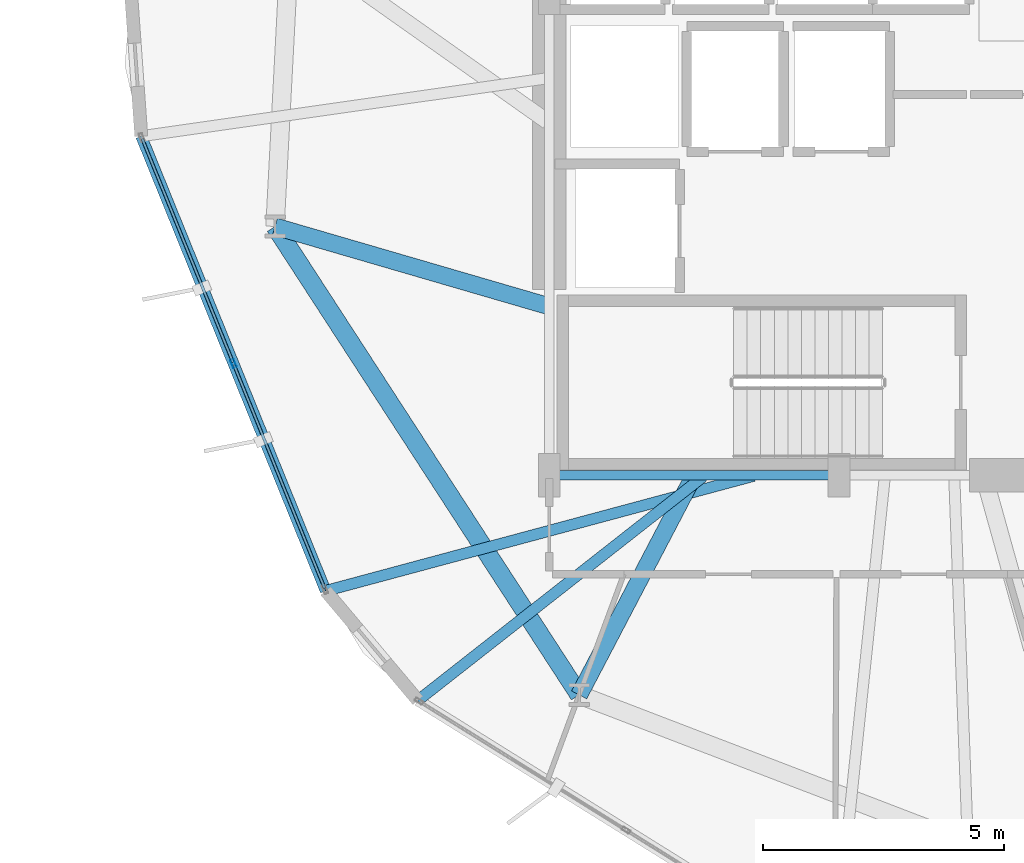
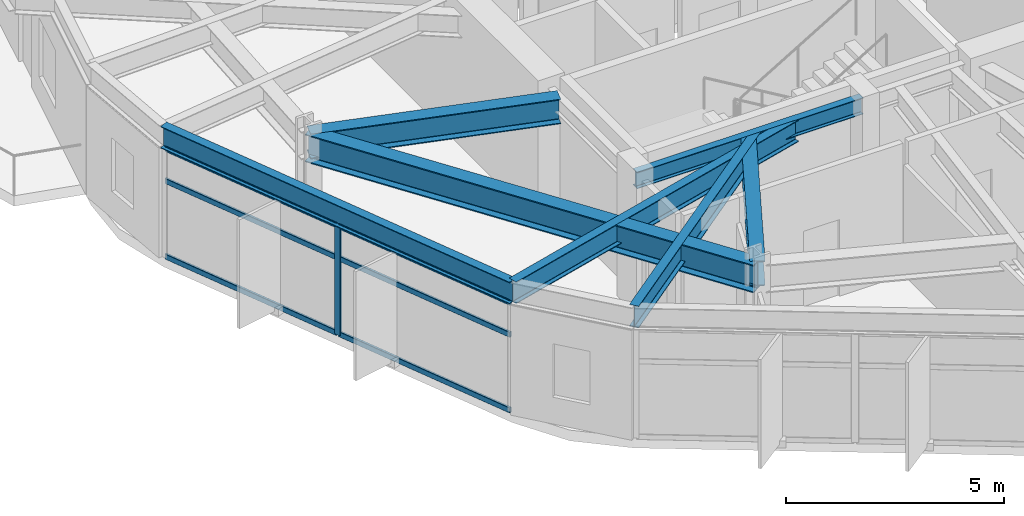
# One storey, part 3 of 22: 7 beams, 7 members, 1 element without a shape of its own.
"""IFC4 building model written with IfcOpenShell, lengths in metres."""

from ifc_helpers import new_model, si_unit, direction, frame, origin, origin_2d, place, context, subcontext, project, spatial, hollow_rectangle, i_section, extrude, material, layer, layer_set, material_profile, profile_set, type_object, element, aggregate, save


model = new_model("IFC4")

# Units and contexts
model_context = context("Model", 3, precision=1e-05, world=origin(), true_north=direction((0.0, 1.0)))
body_context = subcontext(model_context, "Body", "Model", "MODEL_VIEW")
ifc_project = project(units=[si_unit("LENGTHUNIT", "METRE"), si_unit("AREAUNIT", "SQUARE_METRE"), si_unit("VOLUMEUNIT", "CUBIC_METRE"), si_unit("PLANEANGLEUNIT", "RADIAN"), si_unit("MASSUNIT", "GRAM", prefix="KILO")], contexts=[model_context])

# Site, building, storey
site_placement = place(None, origin())
site = spatial("IfcSite", under=ifc_project, at=site_placement, CompositionType="ELEMENT")
building_placement = place(site_placement, origin())
building = spatial("IfcBuilding", under=site, at=building_placement, Name="Soratama Intermodal Tower", CompositionType="ELEMENT")
storey_placement = place(building_placement, frame((0.0, 0.0, 42.60009765625)))
storey = spatial("IfcBuildingStorey", under=building, at=storey_placement, Name="L09", CompositionType="ELEMENT", Elevation=42.60009765625)

# Beams
ifc_material_1 = material(Name="Structural steel ASTM A992 Grade 50", Category="steel")
ifc_material_profile_1 = material_profile(ifc_material_1, i_section(OverallWidth=0.19091796875, OverallDepth=0.4599609375, WebThickness=0.010009765625, FlangeThickness=0.01611328125, FilletRadius=0.010986328125, at=origin_2d()), Name="W18X55")
ifc_profile_set_1 = profile_set([ifc_material_profile_1], Name="Structural steel ASTM A992 Grade 50")
beam_type_1 = type_object("IfcBeamType", Name="BM-FLR-W18X55", PredefinedType="BEAM", material=ifc_profile_set_1)
beam_1_placement = place(storey_placement, frame((32.60009765625, 15.0, 3.469970703125), z_axis=(1.0, 0.0, 0.0), x_axis=(0.0, 1.0, 0.0)))
element("IfcBeam", 1, at=beam_1_placement, inside=storey, type_object=beam_type_1, Name="BM-L09-CRING-01", PredefinedType="BEAM", context=body_context, shape_type="SweptSolid", body=[
    extrude(i_section(OverallWidth=0.19091796875, OverallDepth=0.4599609375, WebThickness=0.010009765625, FlangeThickness=0.01611328125, FilletRadius=0.010986328125, at=origin_2d()), origin(), (0.0, 0.0, 1.0), 6.0),
])
ifc_material_2 = material(Name="Structural steel ASTM A992 Grade 50", Category="steel")
ifc_material_profile_2 = material_profile(ifc_material_2, i_section(OverallWidth=0.35498046875, OverallDepth=0.695068359375, WebThickness=0.015380859375, FlangeThickness=0.02490234375, FilletRadius=0.01611328125, at=origin_2d()), Name="W27X146")
ifc_profile_set_2 = profile_set([ifc_material_profile_2], Name="Structural steel ASTM A992 Grade 50")
beam_type_2 = type_object("IfcBeamType", Name="BM-RING-W27X146", PredefinedType="BEAM", material=ifc_profile_set_2)
beam_2_placement = place(storey_placement, frame((32.60009765625, 18.5, 3.352294921875), z_axis=(-0.960102504931, 0.279648314898, 0.0), x_axis=(-0.279648314898, -0.960102504931, 0.0)))
element("IfcBeam", 2, at=beam_2_placement, inside=storey, type_object=beam_type_2, Name="BM-L09-RAD-06", PredefinedType="BEAM", context=body_context, shape_type="SweptSolid", body=[
    extrude(i_section(OverallWidth=0.35498046875, OverallDepth=0.695068359375, WebThickness=0.015380859375, FlangeThickness=0.02490234375, FilletRadius=0.01611328125, at=origin_2d()), origin(), (0.0, 0.0, 1.0), 5.918212890625),
])
beam_3_placement = place(storey_placement, frame((35.60009765625, 15.0, 3.352294921875), z_axis=(-0.463818619792, -0.885930182314, 0.0), x_axis=(0.885930182314, -0.463818619792, 0.0)))
element("IfcBeam", 3, at=beam_3_placement, inside=storey, type_object=beam_type_2, Name="BM-L09-RAD-07", PredefinedType="BEAM", context=body_context, shape_type="SweptSolid", body=[
    extrude(i_section(OverallWidth=0.35498046875, OverallDepth=0.695068359375, WebThickness=0.015380859375, FlangeThickness=0.02490234375, FilletRadius=0.01611328125, at=origin_2d()), origin(), (0.0, 0.0, 1.0), 5.1337890625),
])
ifc_material_3 = material(Name="Structural steel ASTM A992 Grade 50", Category="steel")
ifc_material_profile_3 = material_profile(ifc_material_3, i_section(OverallWidth=0.382080078125, OverallDepth=0.779052734375, WebThickness=0.01806640625, FlangeThickness=0.030029296875, FilletRadius=0.01806640625, at=origin_2d()), Name="W30X191")
ifc_profile_set_3 = profile_set([ifc_material_profile_3], Name="Structural steel ASTM A992 Grade 50")
beam_type_3 = type_object("IfcBeamType", Name="BM-RING-W30X191", PredefinedType="BEAM", material=ifc_profile_set_3)
beam_4_placement = place(storey_placement, frame((26.91796875, 20.155029296875, 3.310302734375), z_axis=(0.544623370352, -0.838680740489, 0.0), x_axis=(0.838680740489, 0.544623370352, 0.0)))
element("IfcBeam", 4, at=beam_4_placement, inside=storey, type_object=beam_type_3, Name="BM-L09-RING-06", PredefinedType="BEAM", context=body_context, shape_type="SweptSolid", body=[
    extrude(i_section(OverallWidth=0.382080078125, OverallDepth=0.779052734375, WebThickness=0.01806640625, FlangeThickness=0.030029296875, FilletRadius=0.01806640625, at=origin_2d()), origin(), (0.0, 0.0, 1.0), 11.569580078125),
])
ifc_material_4 = material(Name="Structural steel ASTM A992 Grade 50", Category="steel")
ifc_material_profile_4 = material_profile(ifc_material_4, i_section(OverallWidth=0.22900390625, OverallDepth=0.612060546875, WebThickness=0.011962890625, FlangeThickness=0.01953125, FilletRadius=0.012939453125, at=origin_2d()), Name="W24X84")
ifc_profile_set_4 = profile_set([ifc_material_profile_4], Name="Structural steel ASTM A992 Grade 50")
beam_type_4 = type_object("IfcBeamType", Name="BM-SPN-W24X84", PredefinedType="SPANDREL", material=ifc_profile_set_4)
beam_5_placement = place(storey_placement, frame((24.14599609375, 22.02490234375, 3.393798828125), z_axis=(0.37592086242, -0.92665177127, 0.0), x_axis=(0.92665177127, 0.37592086242, 0.0)))
element("IfcBeam", 5, at=beam_5_placement, inside=storey, type_object=beam_type_4, Name="BS-L09-F06", PredefinedType="SPANDREL", context=body_context, shape_type="SweptSolid", body=[
    extrude(i_section(OverallWidth=0.22900390625, OverallDepth=0.612060546875, WebThickness=0.011962890625, FlangeThickness=0.01953125, FilletRadius=0.012939453125, at=origin_2d()), origin(), (0.0, 0.0, 1.0), 10.16455078125),
])
ifc_material_5 = material(Name="Structural steel ASTM A992 Grade 50", Category="steel")
ifc_material_profile_5 = material_profile(ifc_material_5, i_section(OverallWidth=0.22900390625, OverallDepth=0.612060546875, WebThickness=0.011962890625, FlangeThickness=0.01953125, FilletRadius=0.012939453125, at=origin_2d()), Name="W24X84")
ifc_profile_set_5 = profile_set([ifc_material_profile_5], Name="Structural steel ASTM A992 Grade 50")
beam_type_5 = type_object("IfcBeamType", Name="BM-TIE-W24X84", PredefinedType="BEAM", material=ifc_profile_set_5)
beam_6_placement = place(storey_placement, frame((36.837890625, 14.989990234375, 3.393798828125), z_axis=(-0.965732423546, -0.259539758248, 0.0), x_axis=(0.259539758248, -0.965732423546, 0.0)))
element("IfcBeam", 6, at=beam_6_placement, inside=storey, type_object=beam_type_5, Name="BM-L09-TIE1-06", PredefinedType="BEAM", context=body_context, shape_type="SweptSolid", body=[
    extrude(i_section(OverallWidth=0.22900390625, OverallDepth=0.612060546875, WebThickness=0.011962890625, FlangeThickness=0.01953125, FilletRadius=0.012939453125, at=origin_2d()), origin(), (0.0, 0.0, 1.0), 9.185546875),
])
beam_7_placement = place(storey_placement, frame((35.7900390625, 14.97509765625, 3.393798828125), z_axis=(-0.786760000706, -0.61725902285, 0.0), x_axis=(0.61725902285, -0.786760000706, 0.0)))
element("IfcBeam", 7, at=beam_7_placement, inside=storey, type_object=beam_type_5, Name="BM-L09-TIE0-07", PredefinedType="BEAM", context=body_context, shape_type="SweptSolid", body=[
    extrude(i_section(OverallWidth=0.22900390625, OverallDepth=0.612060546875, WebThickness=0.011962890625, FlangeThickness=0.01953125, FilletRadius=0.012939453125, at=origin_2d()), origin(), (0.0, 0.0, 1.0), 7.515625),
])

# Curtain wall, members
ifc_material_6 = material(Name="Double-glazed aluminium curtain wall", Category="aluminium")
ifc_layer = layer(ifc_material_6, 0.159912109375)
ifc_layer_set = layer_set([ifc_layer], Name="Double-glazed aluminium curtain wall")
curtain_wall_type = type_object("IfcCurtainWallType", Name="CW-SYS-2", PredefinedType="NOTDEFINED", material=ifc_layer_set)
curtain_wall_placement = place(storey_placement, origin())
curtain_wall = element("IfcCurtainWall", 8, at=curtain_wall_placement, inside=storey, type_object=curtain_wall_type, Name="L09 Faceted Curtain Wall F06", PredefinedType="NOTDEFINED")
ifc_material_7 = material(Name="Anodised aluminium AA 6063-T6", Category="aluminium")
ifc_material_profile_6 = material_profile(ifc_material_7, hollow_rectangle(XDim=0.074951171875, YDim=0.179931640625, WallThickness=0.006103515625, InnerFilletRadius=0.006103515625, OuterFilletRadius=0.011962890625, at=origin_2d()), Name="CWM180X75X6")
ifc_profile_set_6 = profile_set([ifc_material_profile_6], Name="Anodised aluminium AA 6063-T6")
member_type_1 = type_object("IfcMemberType", Name="MT-CWM-2", PredefinedType="MULLION", material=ifc_profile_set_6)
member_1_placement = place(storey_placement, frame((26.056640625, 17.3154296875, 0.0), z_axis=(0.0, 0.0, 1.0), x_axis=(0.926656948494, 0.375908100215, 0.0)))
member_1 = element("IfcMember", 9, at=member_1_placement, type_object=member_type_1, Name="CW-2 mullion 2", PredefinedType="MULLION", context=body_context, shape_type="SweptSolid", body=[
    extrude(hollow_rectangle(XDim=0.074951171875, YDim=0.179931640625, WallThickness=0.006103515625, InnerFilletRadius=0.006103515625, OuterFilletRadius=0.011962890625, at=origin_2d()), origin(), (0.0, 0.0, 1.0), 3.078857421875),
])
ifc_material_8 = material(Name="Anodised aluminium AA 6063-T6", Category="aluminium")
ifc_material_profile_7 = material_profile(ifc_material_8, hollow_rectangle(XDim=0.06494140625, YDim=0.14990234375, WallThickness=0.0048828125, InnerFilletRadius=0.0048828125, OuterFilletRadius=0.010009765625, at=origin_2d()), Name="CWT150X65X5")
ifc_profile_set_7 = profile_set([ifc_material_profile_7], Name="Anodised aluminium AA 6063-T6")
member_type_2 = type_object("IfcMemberType", Name="TT-CWT-1", PredefinedType="USERDEFINED", material=ifc_profile_set_7)
member_2_placement = place(storey_placement, frame((24.16845703125, 21.9697265625, 0.02978515625), z_axis=(0.375938918334, -0.926644446205, 0.0), x_axis=(0.926644446205, 0.375938918334, 0.0)))
member_2 = element("IfcMember", 10, at=member_2_placement, type_object=member_type_2, Name="CW-2 transom 1.1", ObjectType="TRANSOM", PredefinedType="USERDEFINED", context=body_context, shape_type="SweptSolid", body=[
    extrude(hollow_rectangle(XDim=0.06494140625, YDim=0.14990234375, WallThickness=0.0048828125, InnerFilletRadius=0.0048828125, OuterFilletRadius=0.010009765625, at=origin_2d()), origin(), (0.0, 0.0, 1.0), 4.99267578125),
])
member_3_placement = place(storey_placement, frame((24.16845703125, 21.9697265625, 2.14990234375), z_axis=(0.375938918334, -0.926644446205, 0.0), x_axis=(0.926644446205, 0.375938918334, 0.0)))
member_3 = element("IfcMember", 11, at=member_3_placement, type_object=member_type_2, Name="CW-2 transom 1.2", ObjectType="TRANSOM", PredefinedType="USERDEFINED", context=body_context, shape_type="SweptSolid", body=[
    extrude(hollow_rectangle(XDim=0.06494140625, YDim=0.14990234375, WallThickness=0.0048828125, InnerFilletRadius=0.0048828125, OuterFilletRadius=0.010009765625, at=origin_2d()), origin(), (0.0, 0.0, 1.0), 4.99267578125),
])
member_4_placement = place(storey_placement, frame((24.16845703125, 21.9697265625, 3.048828125), z_axis=(0.375938918334, -0.926644446205, 0.0), x_axis=(0.926644446205, 0.375938918334, 0.0)))
member_4 = element("IfcMember", 12, at=member_4_placement, type_object=member_type_2, Name="CW-2 transom 1.3", ObjectType="TRANSOM", PredefinedType="USERDEFINED", context=body_context, shape_type="SweptSolid", body=[
    extrude(hollow_rectangle(XDim=0.06494140625, YDim=0.14990234375, WallThickness=0.0048828125, InnerFilletRadius=0.0048828125, OuterFilletRadius=0.010009765625, at=origin_2d()), origin(), (0.0, 0.0, 1.0), 4.99267578125),
])
member_5_placement = place(storey_placement, frame((26.06787109375, 17.287841796875, 0.02978515625), z_axis=(0.375896928694, -0.92666148026, 0.0), x_axis=(0.92666148026, 0.375896928694, 0.0)))
member_5 = element("IfcMember", 13, at=member_5_placement, type_object=member_type_2, Name="CW-2 transom 2.1", ObjectType="TRANSOM", PredefinedType="USERDEFINED", context=body_context, shape_type="SweptSolid", body=[
    extrude(hollow_rectangle(XDim=0.06494140625, YDim=0.14990234375, WallThickness=0.0048828125, InnerFilletRadius=0.0048828125, OuterFilletRadius=0.010009765625, at=origin_2d()), origin(), (0.0, 0.0, 1.0), 4.99267578125),
])
member_6_placement = place(storey_placement, frame((26.06787109375, 17.287841796875, 2.14990234375), z_axis=(0.375896928694, -0.92666148026, 0.0), x_axis=(0.92666148026, 0.375896928694, 0.0)))
member_6 = element("IfcMember", 14, at=member_6_placement, type_object=member_type_2, Name="CW-2 transom 2.2", ObjectType="TRANSOM", PredefinedType="USERDEFINED", context=body_context, shape_type="SweptSolid", body=[
    extrude(hollow_rectangle(XDim=0.06494140625, YDim=0.14990234375, WallThickness=0.0048828125, InnerFilletRadius=0.0048828125, OuterFilletRadius=0.010009765625, at=origin_2d()), origin(), (0.0, 0.0, 1.0), 4.99267578125),
])
member_7_placement = place(storey_placement, frame((26.06787109375, 17.287841796875, 3.048828125), z_axis=(0.375896928694, -0.92666148026, 0.0), x_axis=(0.92666148026, 0.375896928694, 0.0)))
member_7 = element("IfcMember", 15, at=member_7_placement, type_object=member_type_2, Name="CW-2 transom 2.3", ObjectType="TRANSOM", PredefinedType="USERDEFINED", context=body_context, shape_type="SweptSolid", body=[
    extrude(hollow_rectangle(XDim=0.06494140625, YDim=0.14990234375, WallThickness=0.0048828125, InnerFilletRadius=0.0048828125, OuterFilletRadius=0.010009765625, at=origin_2d()), origin(), (0.0, 0.0, 1.0), 4.99267578125),
])
aggregate(curtain_wall, [member_1, member_2, member_3, member_4, member_5, member_6, member_7])

save(model, "model.ifc")
